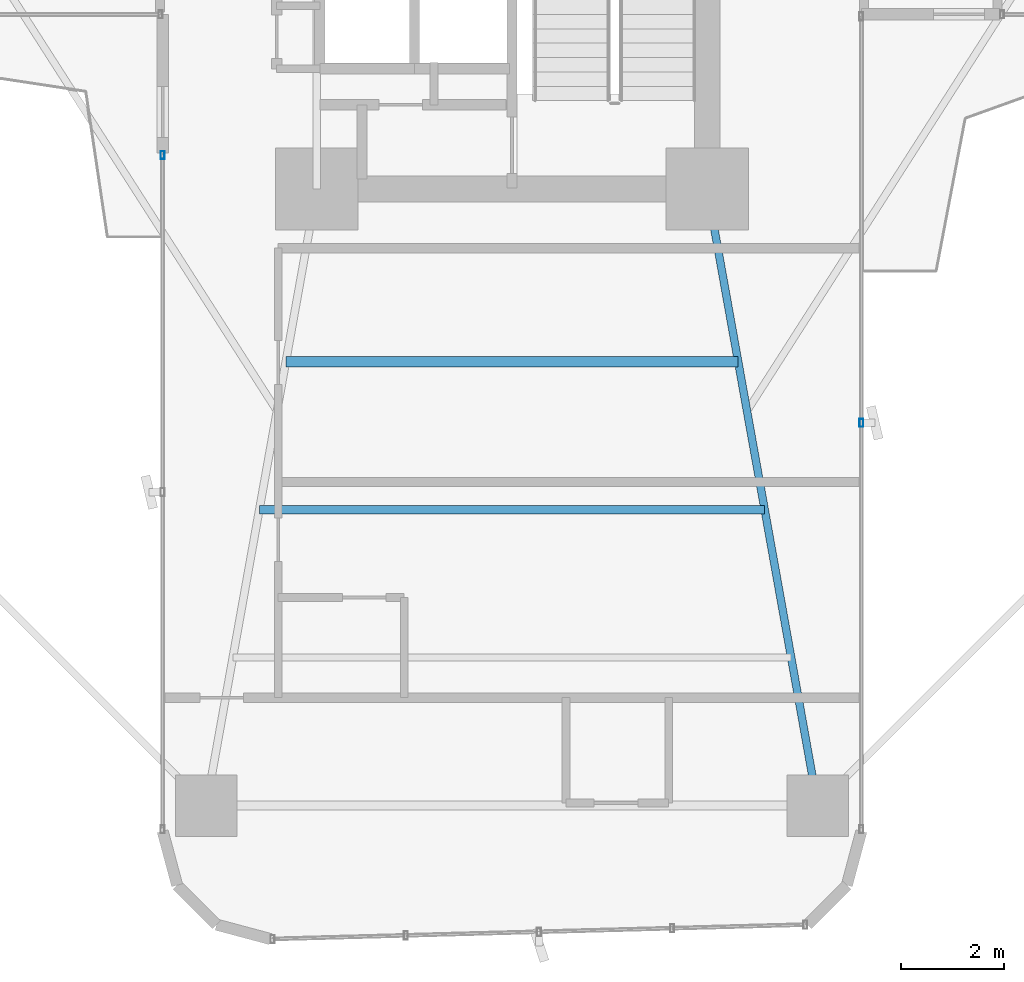
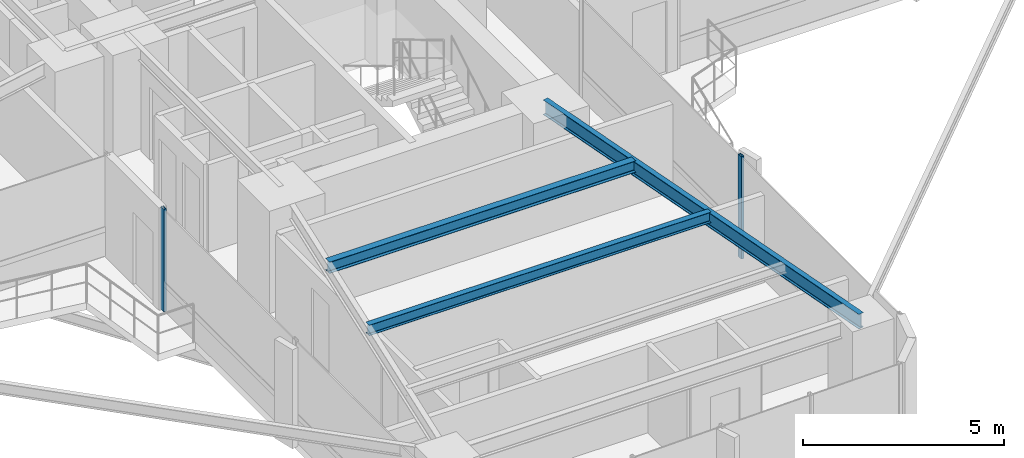
# One storey, part 4 of 25: 3 beams, 2 members, 2 elements without a shape of their own.
"""IFC4 building model written with IfcOpenShell, lengths in metres."""

import ifcopenshell
import ifcopenshell.guid

model = None  # the IFC model being written
_history = None  # IfcOwnerHistory: only IFC2X3 demands one
_inside = {}  # id of a spatial element -> (the spatial element, [elements in it])
_under = {}  # id of a project, library or spatial element -> (it, [spatial elements below it])
_declared = {}  # id of a project -> (the project, [libraries it declares])
_typed = {}  # id of a type object -> (the type object, [elements of that type])
_made_of = {}  # id of a material, layer set ... -> (it, [elements and type objects made of it])


def new_model(schema):
    """Start an empty IFC model of exactly this schema.

    Asked for "IFC4X3", IfcOpenShell would pick the latest addendum, in which some entities
    have other attributes; the version numbers below select the first issue.
    IFC2X3 requires an IfcOwnerHistory on every rooted entity: one is made here for all.
    """
    global model, _history
    if schema == "IFC4X3":
        model = ifcopenshell.file(schema_version=(4, 3, 0, 0))
    else:
        model = ifcopenshell.file(schema=schema)
    _inside.clear()
    _under.clear()
    _declared.clear()
    _typed.clear()
    _made_of.clear()
    _history = None
    if model.schema == "IFC2X3":
        org = make("IfcOrganization", Name="unknown")
        user = make(
            "IfcPersonAndOrganization",
            ThePerson=make("IfcPerson", FamilyName="unknown"),
            TheOrganization=org,
        )
        app = make(
            "IfcApplication",
            ApplicationDeveloper=org,
            Version="unknown",
            ApplicationFullName="unknown",
            ApplicationIdentifier="unknown",
        )
        _history = make(
            "IfcOwnerHistory",
            OwningUser=user,
            OwningApplication=app,
            ChangeAction="ADDED",
            CreationDate=0,
        )
    return model


def make(cls, **values):
    """One entity of the class cls with the attributes given. An attribute that is None is left unset."""
    return model.create_entity(
        cls, **{name: value for name, value in values.items() if value is not None}
    )


def rooted(cls, **values):
    """An entity with a GlobalId (a new one), such as an element, a storey or a relation."""
    return make(cls, GlobalId=ifcopenshell.guid.new(), OwnerHistory=_history, **values)


def si_unit(unit_type, name, prefix=None):
    """IfcSIUnit, for example si_unit("LENGTHUNIT", "METRE", prefix="MILLI")."""
    return make("IfcSIUnit", UnitType=unit_type, Prefix=prefix, Name=name)


def assignment(units):
    """IfcUnitAssignment: the units of a project."""
    return None if units is None else make("IfcUnitAssignment", Units=units)


def point(xyz):
    """IfcCartesianPoint."""
    return None if xyz is None else make("IfcCartesianPoint", Coordinates=xyz)


def direction(xyz):
    """IfcDirection."""
    return None if xyz is None else make("IfcDirection", DirectionRatios=xyz)


def frame(location, z_axis=None, x_axis=None):
    """IfcAxis2Placement3D, a coordinate frame: its origin and axes. An axis left out is left unset."""
    return make(
        "IfcAxis2Placement3D",
        Location=point(location),
        Axis=direction(z_axis),
        RefDirection=direction(x_axis),
    )


def frame_2d(location, x_axis=None):
    """IfcAxis2Placement2D, a coordinate frame in the plane: its origin and x axis."""
    return make(
        "IfcAxis2Placement2D", Location=point(location), RefDirection=direction(x_axis)
    )


def origin():
    """The frame at (0, 0, 0) with its axes left unset."""
    return frame((0.0, 0.0, 0.0))


def origin_2d():
    """The frame at (0, 0) in the plane with its x axis left unset."""
    return frame_2d((0.0, 0.0))


def place(relative_to, where):
    """IfcLocalPlacement: puts the frame where relative to a parent placement (None: the world)."""
    return make(
        "IfcLocalPlacement", PlacementRelTo=relative_to, RelativePlacement=where
    )


def context(
    kind, dimensions, precision=None, world=None, true_north=None, identifier=None
):
    """IfcGeometricRepresentationContext, for example the 3D "Model" context."""
    return make(
        "IfcGeometricRepresentationContext",
        ContextIdentifier=identifier,
        ContextType=kind,
        CoordinateSpaceDimension=dimensions,
        Precision=precision,
        WorldCoordinateSystem=world,
        TrueNorth=true_north,
    )


def subcontext(parent, identifier, kind, view, scale=None):
    """IfcGeometricRepresentationSubContext, for example "Body" below "Model"."""
    return make(
        "IfcGeometricRepresentationSubContext",
        ContextIdentifier=identifier,
        ContextType=kind,
        ParentContext=parent,
        TargetScale=scale,
        TargetView=view,
    )


def project(units=None, contexts=None):
    """IfcProject with its units and contexts."""
    return rooted(
        "IfcProject",
        Name="project",
        RepresentationContexts=contexts,
        UnitsInContext=assignment(units),
    )


def spatial(cls, under=None, at=None, **own):
    """A site, building, storey or space (cls), placed at a placement, below another one or the project."""
    s = rooted(cls, ObjectPlacement=at, **own)
    if under is not None:
        _under.setdefault(under.id(), (under, []))[1].append(s)
    return s


def profile(cls, at=None, kind="AREA", **sizes):
    """A parametric profile (cls). Its sizes go by their IFC names, for example OverallWidth=200.0."""
    return make(cls, ProfileType=kind, Position=at, **sizes)


def hollow_rectangle(**sizes):
    """IfcRectangleHollowProfileDef."""
    return profile("IfcRectangleHollowProfileDef", **sizes)


def i_section(**sizes):
    """IfcIShapeProfileDef."""
    return profile("IfcIShapeProfileDef", **sizes)


def extrude(swept, where, along, depth):
    """IfcExtrudedAreaSolid: the profile swept, set in the frame where, extruded along a direction by depth."""
    return make(
        "IfcExtrudedAreaSolid",
        SweptArea=swept,
        Position=where,
        ExtrudedDirection=direction(along),
        Depth=depth,
    )


def shape(context_of_items, identifier, shape_type, items):
    """IfcShapeRepresentation: the items that make up one representation, for example the "Body"."""
    return make(
        "IfcShapeRepresentation",
        ContextOfItems=context_of_items,
        RepresentationIdentifier=identifier,
        RepresentationType=shape_type,
        Items=items,
    )


def source(mapping_origin, context_of_items, identifier, shape_type, items):
    """IfcRepresentationMap: a shape defined once, which mapped items show again and again."""
    return make(
        "IfcRepresentationMap",
        MappingOrigin=mapping_origin,
        MappedRepresentation=shape(context_of_items, identifier, shape_type, items),
    )


def transform(
    local_origin,
    x_axis=None,
    y_axis=None,
    z_axis=None,
    scale=None,
    scale2=None,
    scale3=None,
    uniform=True,
):
    """IfcCartesianTransformationOperator3D, or its non-uniform kind. x_axis, y_axis, z_axis: its Axis1, 2, 3."""
    if uniform:
        return make(
            "IfcCartesianTransformationOperator3D",
            Axis1=direction(x_axis),
            Axis2=direction(y_axis),
            LocalOrigin=point(local_origin),
            Scale=scale,
            Axis3=direction(z_axis),
        )
    return make(
        "IfcCartesianTransformationOperator3DnonUniform",
        Axis1=direction(x_axis),
        Axis2=direction(y_axis),
        LocalOrigin=point(local_origin),
        Scale=scale,
        Axis3=direction(z_axis),
        Scale2=scale2,
        Scale3=scale3,
    )


def mapped(mapping_source, mapping_target):
    """IfcMappedItem: shows the shape of a source again, moved by a transform."""
    return make(
        "IfcMappedItem", MappingSource=mapping_source, MappingTarget=mapping_target
    )


def material(Name=None, Category=None):
    """IfcMaterial."""
    return make("IfcMaterial", Name=Name, Category=Category)


def material_profile(
    of_material, cross_section, Name=None, Category=None, Priority=None
):
    """IfcMaterialProfile: a cross section and its material."""
    return make(
        "IfcMaterialProfile",
        Name=Name,
        Material=of_material,
        Profile=cross_section,
        Priority=Priority,
        Category=Category,
    )


def profile_set(profiles, Name=None, composite=None):
    """IfcMaterialProfileSet."""
    return make(
        "IfcMaterialProfileSet",
        Name=Name,
        MaterialProfiles=profiles,
        CompositeProfile=composite,
    )


def made_of(thing, what):
    """Note that an element or type object is made of a material, layer set ...; save() writes the relation."""
    if what is not None:
        _made_of.setdefault(what.id(), (what, []))[1].append(thing)
    return thing


def type_object(cls, material=None, **own):
    """A type object (cls), such as IfcWallType, which elements share."""
    return made_of(rooted(cls, **own), material)


def element(
    cls,
    number,
    at=None,
    inside=None,
    cuts=None,
    type_object=None,
    material=None,
    context=None,
    identifier="Body",
    shape_type=None,
    held_by="IfcProductDefinitionShape",
    body=None,
    shapes=None,
    **own,
):
    """One element of the class cls, such as IfcWall. Its Tag is "e" and its number.

    at: its placement. inside: the storey or other place that contains it. cuts: it is an
    opening in that element (IfcRelVoidsElement). A single representation is given by context,
    identifier, shape_type and body (its items); several are given by shapes. held_by: the class
    of the entity that holds the representations. save() writes the other relations.
    """
    e = rooted(cls, Tag="e%d" % number, ObjectPlacement=at, **own)
    if body is not None:
        shapes = [shape(context, identifier, shape_type, body)]
    if shapes is not None:
        e.Representation = make(held_by, Representations=shapes)
    if inside is not None:
        _inside.setdefault(inside.id(), (inside, []))[1].append(e)
    if cuts is not None:
        rooted(
            "IfcRelVoidsElement", RelatingBuildingElement=cuts, RelatedOpeningElement=e
        )
    if type_object is not None:
        _typed.setdefault(type_object.id(), (type_object, []))[1].append(e)
    return made_of(e, material)


def aggregate(whole, parts):
    """IfcRelAggregates: a whole, such as a stair, and the parts it consists of."""
    return rooted("IfcRelAggregates", RelatingObject=whole, RelatedObjects=parts)


def save(model, path):
    """Write the relations noted so far, then the file.

    IfcRelAggregates (storeys below a building ...), IfcRelContainedInSpatialStructure (elements
    in a storey), IfcRelDefinesByType, IfcRelAssociatesMaterial and IfcRelDeclares: one each for
    every whole, place, type object, material and project.
    """
    for whole, parts in _under.values():
        aggregate(whole, parts)
    for where, things in _inside.values():
        rooted(
            "IfcRelContainedInSpatialStructure",
            RelatedElements=things,
            RelatingStructure=where,
        )
    for kind, things in _typed.values():
        rooted("IfcRelDefinesByType", RelatedObjects=things, RelatingType=kind)
    for what, things in _made_of.values():
        rooted("IfcRelAssociatesMaterial", RelatedObjects=things, RelatingMaterial=what)
    for by, libraries in _declared.values():
        rooted("IfcRelDeclares", RelatingContext=by, RelatedDefinitions=libraries)
    model.write(path)


model = new_model("IFC4")

# Units and contexts
model_context = context("Model", 3, precision=1e-05, world=origin(), true_north=direction((0.0, 1.0)))
body_context = subcontext(model_context, "Body", "Model", "MODEL_VIEW")
ifc_project = project(units=[si_unit("LENGTHUNIT", "METRE"), si_unit("AREAUNIT", "SQUARE_METRE"), si_unit("VOLUMEUNIT", "CUBIC_METRE"), si_unit("PLANEANGLEUNIT", "RADIAN"), si_unit("MASSUNIT", "GRAM", prefix="KILO")], contexts=[model_context])

# Site, building, storey
site_placement = place(None, origin())
site = spatial("IfcSite", under=ifc_project, at=site_placement, CompositionType="ELEMENT")
building_placement = place(site_placement, origin())
building = spatial("IfcBuilding", under=site, at=building_placement, Name="Sahyath Konkavel Grand Hotel", CompositionType="ELEMENT")
storey_placement = place(building_placement, frame((0.0, 0.0, 33.14990234375)))
storey = spatial("IfcBuildingStorey", under=building, at=storey_placement, Name="L08", CompositionType="ELEMENT", Elevation=33.14990234375)

# Beams
ifc_material_1 = material(Name="Steel E350", Category="steel")
ifc_material_profile_1 = material_profile(ifc_material_1, i_section(OverallWidth=0.14990234375, OverallDepth=0.449951171875, WebThickness=0.009521484375, FlangeThickness=0.017333984375, FilletRadius=0.014892578125, at=origin_2d()), Name="ISMB 450")
ifc_profile_set_1 = profile_set([ifc_material_profile_1], Name="Steel E350")
beam_type_1 = type_object("IfcBeamType", Name="BM-ISMB450", PredefinedType="BEAM", material=ifc_profile_set_1)
shared_shape_1 = source(origin(), body_context, "Body", "SweptSolid", [
    extrude(i_section(OverallWidth=0.14990234375, OverallDepth=0.449951171875, WebThickness=0.009521484375, FlangeThickness=0.017333984375, FilletRadius=0.014892578125, at=origin_2d()), origin(), (0.0, 0.0, 1.0), 12.191162109375),
])
beam_1_placement = place(storey_placement, frame((3.800048828125, -10.199951171875, 2.885009765625), z_axis=(0.176350650305, -0.984327409014, 0.0), x_axis=(0.984327409014, 0.176350650305, 0.0)))
element("IfcBeam", 1, at=beam_1_placement, inside=storey, type_object=beam_type_1, Name="L08 Cruciform Radial Girder SB", PredefinedType="BEAM", context=body_context, shape_type="MappedRepresentation", body=[
    mapped(shared_shape_1, transform((0.0, 0.0, 0.0), scale=1.0)),
])
ifc_material_profile_2 = material_profile(ifc_material_1, i_section(OverallWidth=0.199951171875, OverallDepth=0.35009765625, WebThickness=0.008056640625, FlangeThickness=0.011474609375, FilletRadius=0.013916015625, at=origin_2d()), Name="ISWB 350")
ifc_profile_set_2 = profile_set([ifc_material_profile_2], Name="Steel E350")
beam_type_2 = type_object("IfcBeamType", Name="BM-ISWB350", PredefinedType="BEAM", material=ifc_profile_set_2)
shared_shape_2 = source(origin(), body_context, "Body", "SweptSolid", [
    extrude(i_section(OverallWidth=0.199951171875, OverallDepth=0.35009765625, WebThickness=0.008056640625, FlangeThickness=0.011474609375, FilletRadius=0.013916015625, at=origin_2d()), origin(), (0.0, 0.0, 1.0), 8.80419921875),
])
beam_2_placement = place(storey_placement, frame((-4.402099609375, -13.56005859375, 2.93505859375), z_axis=(1.0, 0.0, 0.0), x_axis=(0.0, 1.0, 0.0)))
element("IfcBeam", 2, at=beam_2_placement, inside=storey, type_object=beam_type_2, Name="L08 Secondary Floor Beam S-1", PredefinedType="BEAM", context=body_context, shape_type="MappedRepresentation", body=[
    mapped(shared_shape_2, transform((0.0, 0.0, 0.0), scale=1.0)),
])
ifc_material_profile_3 = material_profile(ifc_material_1, i_section(OverallWidth=0.1650390625, OverallDepth=0.324951171875, WebThickness=0.007080078125, FlangeThickness=0.009765625, FilletRadius=0.014892578125, at=origin_2d()), Name="ISLB 325")
ifc_profile_set_3 = profile_set([ifc_material_profile_3], Name="Steel E350")
beam_type_3 = type_object("IfcBeamType", Name="BM-ISLB325", PredefinedType="BEAM", material=ifc_profile_set_3)
shared_shape_3 = source(origin(), body_context, "Body", "SweptSolid", [
    extrude(i_section(OverallWidth=0.1650390625, OverallDepth=0.324951171875, WebThickness=0.007080078125, FlangeThickness=0.009765625, FilletRadius=0.014892578125, at=origin_2d()), origin(), (0.0, 0.0, 1.0), 9.8359375),
])
beam_3_placement = place(storey_placement, frame((-4.91796875, -16.43994140625, 2.947509765625), z_axis=(1.0, 0.0, 0.0), x_axis=(0.0, 1.0, 0.0)))
element("IfcBeam", 3, at=beam_3_placement, inside=storey, type_object=beam_type_3, Name="L08 Secondary Floor Beam S-2", PredefinedType="BEAM", context=body_context, shape_type="MappedRepresentation", body=[
    mapped(shared_shape_3, transform((0.0, 0.0, 0.0), scale=1.0)),
])

# Curtain wall, member
ifc_material_2 = material(Name="Anodised Bronze Aluminium & Low-E Glazing", Category="aluminium")
curtain_wall_type = type_object("IfcCurtainWallType", Name="CW-ZONE1", PredefinedType="NOTDEFINED", material=ifc_material_2)
curtain_wall_1_placement = place(storey_placement, origin())
curtain_wall_1 = element("IfcCurtainWall", 4, at=curtain_wall_1_placement, inside=storey, type_object=curtain_wall_type, Name="L08 Unitised Curtain Wall F24", PredefinedType="NOTDEFINED")
ifc_material_3 = material(Name="Anodised Bronze Aluminium", Category="aluminium")
ifc_material_profile_4 = material_profile(ifc_material_3, hollow_rectangle(XDim=0.080078125, YDim=0.159912109375, WallThickness=0.006103515625, at=origin_2d()), Name="RHS 160x80x6")
ifc_profile_set_4 = profile_set([ifc_material_profile_4], Name="Anodised Bronze Aluminium")
member_type = type_object("IfcMemberType", Name="CW-MUL-160", PredefinedType="MULLION", material=ifc_profile_set_4)
shared_shape_4 = source(origin(), body_context, "Body", "SweptSolid", [
    extrude(hollow_rectangle(XDim=0.080078125, YDim=0.159912109375, WallThickness=0.006103515625, at=origin_2d()), origin(), (0.0, 0.0, 1.0), 3.110107421875),
])
member_1_placement = place(storey_placement, frame((-6.800048828125, -9.5400390625, 0.0), z_axis=(0.0, 0.0, 1.0), x_axis=(1.0, 0.0, 0.0)))
member_1 = element("IfcMember", 5, at=member_1_placement, type_object=member_type, Name="L08 Curtain Wall Mullion F24-0", PredefinedType="MULLION", context=body_context, shape_type="MappedRepresentation", body=[
    mapped(shared_shape_4, transform((0.0, 0.0, 0.0), scale=1.0)),
])
aggregate(curtain_wall_1, [member_1])

curtain_wall_2_placement = place(storey_placement, origin())
curtain_wall_2 = element("IfcCurtainWall", 6, at=curtain_wall_2_placement, inside=storey, type_object=curtain_wall_type, Name="L08 Unitised Curtain Wall F31", PredefinedType="NOTDEFINED")
member_2_placement = place(storey_placement, frame((6.800048828125, -14.75, 0.0), z_axis=(0.0, 0.0, 1.0), x_axis=(1.0, 0.0, 0.0)))
member_2 = element("IfcMember", 7, at=member_2_placement, type_object=member_type, Name="L08 Curtain Wall Mullion F31-1", PredefinedType="MULLION", context=body_context, shape_type="MappedRepresentation", body=[
    mapped(shared_shape_4, transform((0.0, 0.0, 0.0), scale=1.0)),
])
aggregate(curtain_wall_2, [member_2])

save(model, "model.ifc")
